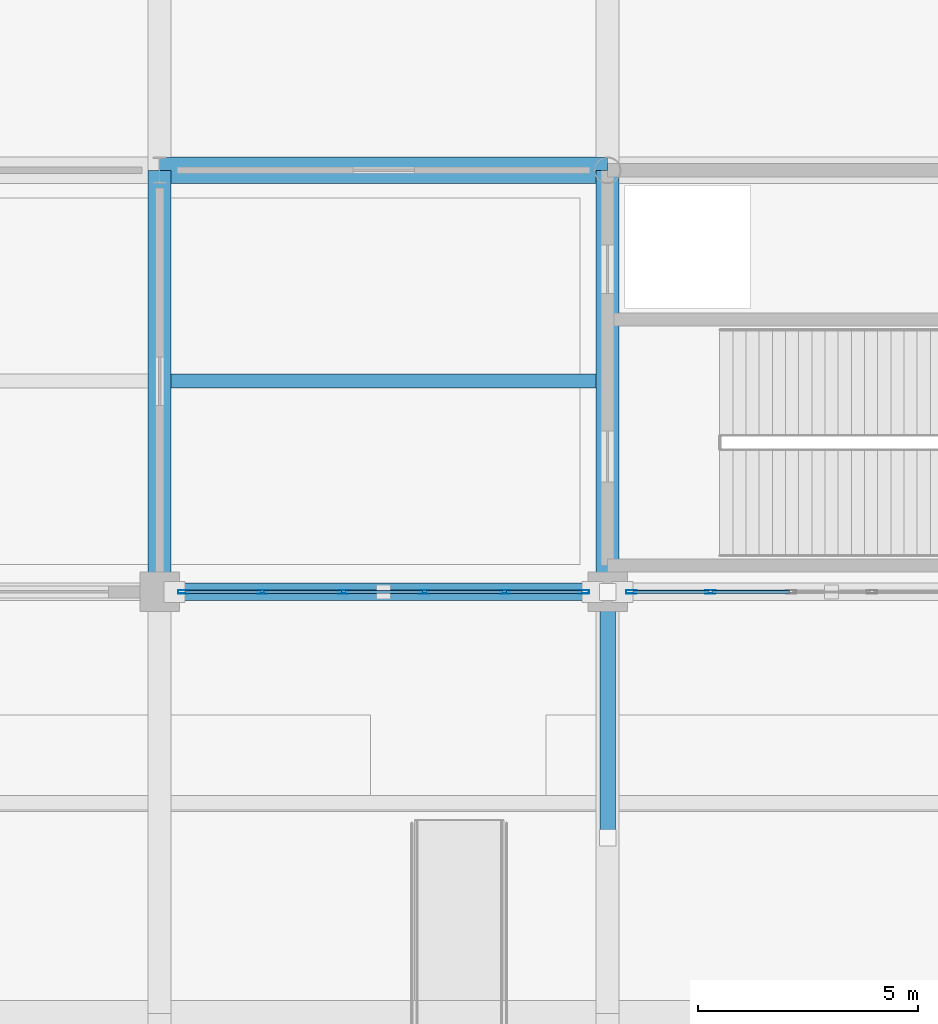
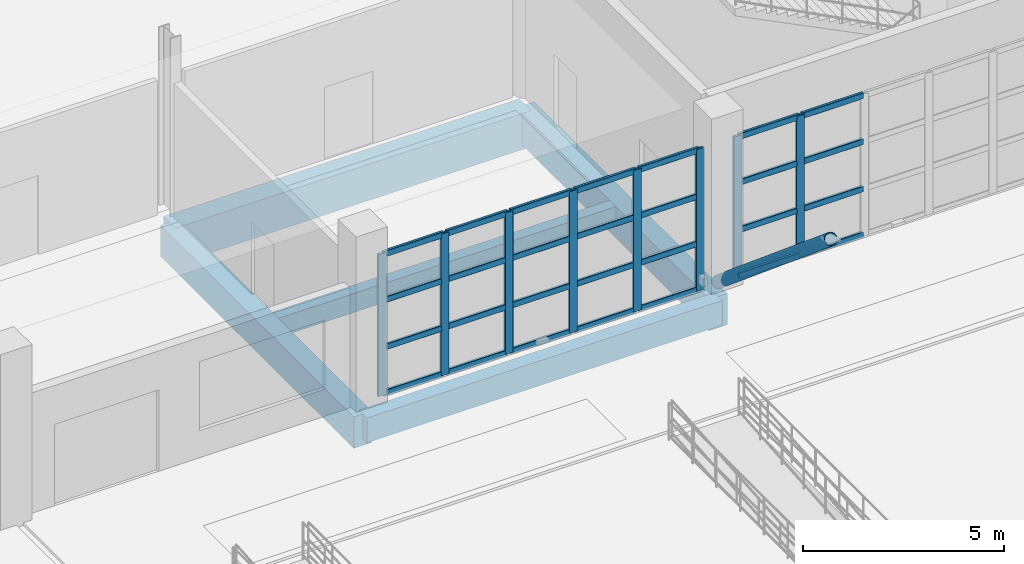
# One storey, part 36 of 124: 37 members, 5 beams, 2 elements without a shape of their own.
"""IFC4 building model written with IfcOpenShell, lengths in metres."""

from ifc_helpers import new_model, si_unit, direction, frame, origin, origin_2d, place, context, subcontext, project, spatial, rectangle, hollow_rectangle, hollow_circle, extrude, material, material_profile, profile_set, type_object, element, aggregate, save


model = new_model("IFC4")

# Units and contexts
model_context = context("Model", 3, precision=1e-05, world=origin(), true_north=direction((0.0, 1.0)))
body_context = subcontext(model_context, "Body", "Model", "MODEL_VIEW")
ifc_project = project(units=[si_unit("LENGTHUNIT", "METRE"), si_unit("AREAUNIT", "SQUARE_METRE"), si_unit("VOLUMEUNIT", "CUBIC_METRE"), si_unit("PLANEANGLEUNIT", "RADIAN"), si_unit("MASSUNIT", "GRAM", prefix="KILO")], contexts=[model_context])

# Site, building, storey
site_placement = place(None, origin())
site = spatial("IfcSite", under=ifc_project, at=site_placement, CompositionType="ELEMENT")
building_placement = place(site_placement, origin())
building = spatial("IfcBuilding", under=site, at=building_placement, Name="Brelvane Convention Centre", CompositionType="ELEMENT")
storey_placement = place(building_placement, origin())
storey = spatial("IfcBuildingStorey", under=building, at=storey_placement, Name="L00", CompositionType="ELEMENT", Elevation=0.0)

# Curtain wall, members
ifc_material_1 = material(Name="Anodised Aluminium Alloy 6063-T6", Category="aluminium")
curtain_wall_type = type_object("IfcCurtainWallType", Name="Curtain Wall CW-CONC", PredefinedType="USERDEFINED", material=ifc_material_1)
curtain_wall_1_placement = place(storey_placement, origin())
curtain_wall_1 = element("IfcCurtainWall", 1, at=curtain_wall_1_placement, inside=storey, type_object=curtain_wall_type, Name="Curtain Wall CW-CONC L00-V1S-12", ObjectType="UNITISED", PredefinedType="USERDEFINED")
ifc_material_2 = material(Name="Anodised Aluminium Alloy 6063-T6", Category="aluminium")
ifc_material_profile_1 = material_profile(ifc_material_2, hollow_rectangle(XDim=0.080078125, YDim=0.239990234375, WallThickness=0.006103515625, InnerFilletRadius=0.006103515625, OuterFilletRadius=0.011962890625, at=origin_2d()), Name="ALU-M 240x80x6.0")
ifc_profile_set_1 = profile_set([ifc_material_profile_1], Name="Anodised Aluminium Alloy 6063-T6")
member_type_1 = type_object("IfcMemberType", Name="Curtain Mullion CW-M1", PredefinedType="MULLION", material=ifc_profile_set_1)
member_1_placement = place(storey_placement, frame((112.739990234375, 19.199951171875, 0.0), z_axis=(0.0, 0.0, 1.0), x_axis=(0.0, 1.0, 0.0)))
member_1 = element("IfcMember", 2, at=member_1_placement, type_object=member_type_1, Name="CW-CONC mullion 1", PredefinedType="MULLION", context=body_context, shape_type="SweptSolid", body=[
    extrude(hollow_rectangle(XDim=0.080078125, YDim=0.239990234375, WallThickness=0.006103515625, InnerFilletRadius=0.006103515625, OuterFilletRadius=0.011962890625, at=origin_2d()), origin(), (0.0, 0.0, 1.0), 4.300048828125),
])
member_2_placement = place(storey_placement, frame((114.5400390625, 19.199951171875, 0.0), z_axis=(0.0, 0.0, 1.0), x_axis=(0.0, 1.0, 0.0)))
member_2 = element("IfcMember", 3, at=member_2_placement, type_object=member_type_1, Name="CW-CONC mullion 2", PredefinedType="MULLION", context=body_context, shape_type="SweptSolid", body=[
    extrude(hollow_rectangle(XDim=0.080078125, YDim=0.239990234375, WallThickness=0.006103515625, InnerFilletRadius=0.006103515625, OuterFilletRadius=0.011962890625, at=origin_2d()), origin(), (0.0, 0.0, 1.0), 4.300048828125),
])
member_3_placement = place(storey_placement, frame((116.3798828125, 19.199951171875, 0.0), z_axis=(0.0, 0.0, 1.0), x_axis=(0.0, 1.0, 0.0)))
member_3 = element("IfcMember", 4, at=member_3_placement, type_object=member_type_1, Name="CW-CONC mullion 3", PredefinedType="MULLION", context=body_context, shape_type="SweptSolid", body=[
    extrude(hollow_rectangle(XDim=0.080078125, YDim=0.239990234375, WallThickness=0.006103515625, InnerFilletRadius=0.006103515625, OuterFilletRadius=0.011962890625, at=origin_2d()), origin(), (0.0, 0.0, 1.0), 4.300048828125),
])
member_4_placement = place(storey_placement, frame((118.219970703125, 19.199951171875, 0.0), z_axis=(0.0, 0.0, 1.0), x_axis=(0.0, 1.0, 0.0)))
member_4 = element("IfcMember", 5, at=member_4_placement, type_object=member_type_1, Name="CW-CONC mullion 4", PredefinedType="MULLION", context=body_context, shape_type="SweptSolid", body=[
    extrude(hollow_rectangle(XDim=0.080078125, YDim=0.239990234375, WallThickness=0.006103515625, InnerFilletRadius=0.006103515625, OuterFilletRadius=0.011962890625, at=origin_2d()), origin(), (0.0, 0.0, 1.0), 4.300048828125),
])
member_5_placement = place(storey_placement, frame((120.06005859375, 19.199951171875, 0.0), z_axis=(0.0, 0.0, 1.0), x_axis=(0.0, 1.0, 0.0)))
member_5 = element("IfcMember", 6, at=member_5_placement, type_object=member_type_1, Name="CW-CONC mullion 5", PredefinedType="MULLION", context=body_context, shape_type="SweptSolid", body=[
    extrude(hollow_rectangle(XDim=0.080078125, YDim=0.239990234375, WallThickness=0.006103515625, InnerFilletRadius=0.006103515625, OuterFilletRadius=0.011962890625, at=origin_2d()), origin(), (0.0, 0.0, 1.0), 4.300048828125),
])
member_6_placement = place(storey_placement, frame((121.860107421875, 19.199951171875, 0.0), z_axis=(0.0, 0.0, 1.0), x_axis=(0.0, 1.0, 0.0)))
member_6 = element("IfcMember", 7, at=member_6_placement, type_object=member_type_1, Name="CW-CONC mullion 6", PredefinedType="MULLION", context=body_context, shape_type="SweptSolid", body=[
    extrude(hollow_rectangle(XDim=0.080078125, YDim=0.239990234375, WallThickness=0.006103515625, InnerFilletRadius=0.006103515625, OuterFilletRadius=0.011962890625, at=origin_2d()), origin(), (0.0, 0.0, 1.0), 4.300048828125),
])

curtain_wall_2_placement = place(storey_placement, origin())
curtain_wall_2 = element("IfcCurtainWall", 8, at=curtain_wall_2_placement, inside=storey, type_object=curtain_wall_type, Name="Curtain Wall CW-CONC L00-V1S-13", ObjectType="UNITISED", PredefinedType="USERDEFINED")
member_7_placement = place(storey_placement, frame((122.93994140625, 19.199951171875, 0.0), z_axis=(0.0, 0.0, 1.0), x_axis=(0.0, 1.0, 0.0)))
member_7 = element("IfcMember", 9, at=member_7_placement, type_object=member_type_1, Name="CW-CONC mullion 1", PredefinedType="MULLION", context=body_context, shape_type="SweptSolid", body=[
    extrude(hollow_rectangle(XDim=0.080078125, YDim=0.239990234375, WallThickness=0.006103515625, InnerFilletRadius=0.006103515625, OuterFilletRadius=0.011962890625, at=origin_2d()), origin(), (0.0, 0.0, 1.0), 4.300048828125),
])
member_8_placement = place(storey_placement, frame((124.739990234375, 19.199951171875, 0.0), z_axis=(0.0, 0.0, 1.0), x_axis=(0.0, 1.0, 0.0)))
member_8 = element("IfcMember", 10, at=member_8_placement, type_object=member_type_1, Name="CW-CONC mullion 2", PredefinedType="MULLION", context=body_context, shape_type="SweptSolid", body=[
    extrude(hollow_rectangle(XDim=0.080078125, YDim=0.239990234375, WallThickness=0.006103515625, InnerFilletRadius=0.006103515625, OuterFilletRadius=0.011962890625, at=origin_2d()), origin(), (0.0, 0.0, 1.0), 4.300048828125),
])

# Member
ifc_material_3 = material(Name="Anodised Aluminium Alloy 6063-T6", Category="aluminium")
ifc_material_profile_2 = material_profile(ifc_material_3, hollow_rectangle(XDim=0.080078125, YDim=0.179931640625, WallThickness=0.0048828125, InnerFilletRadius=0.0048828125, OuterFilletRadius=0.010009765625, at=origin_2d()), Name="ALU-T 180x80x5.0")
ifc_profile_set_2 = profile_set([ifc_material_profile_2], Name="Anodised Aluminium Alloy 6063-T6")
member_type_2 = type_object("IfcMemberType", Name="Curtain Transom CW-T1", PredefinedType="USERDEFINED", material=ifc_profile_set_2)
member_9_placement = place(storey_placement, frame((112.780029296875, 19.199951171875, 0.0400390625), z_axis=(1.0, 0.0, 0.0), x_axis=(0.0, 1.0, 0.0)))
member_9 = element("IfcMember", 11, at=member_9_placement, type_object=member_type_2, Name="CW-CONC transom 1.1", ObjectType="TRANSOM", PredefinedType="USERDEFINED", context=body_context, shape_type="SweptSolid", body=[
    extrude(hollow_rectangle(XDim=0.080078125, YDim=0.179931640625, WallThickness=0.0048828125, InnerFilletRadius=0.0048828125, OuterFilletRadius=0.010009765625, at=origin_2d()), origin(), (0.0, 0.0, 1.0), 1.719970703125),
])

member_10_placement = place(storey_placement, frame((112.780029296875, 19.199951171875, 1.433349609375), z_axis=(1.0, 0.0, 0.0), x_axis=(0.0, 1.0, 0.0)))
member_10 = element("IfcMember", 12, at=member_10_placement, type_object=member_type_2, Name="CW-CONC transom 1.2", ObjectType="TRANSOM", PredefinedType="USERDEFINED", context=body_context, shape_type="SweptSolid", body=[
    extrude(hollow_rectangle(XDim=0.080078125, YDim=0.179931640625, WallThickness=0.0048828125, InnerFilletRadius=0.0048828125, OuterFilletRadius=0.010009765625, at=origin_2d()), origin(), (0.0, 0.0, 1.0), 1.719970703125),
])

member_11_placement = place(storey_placement, frame((112.780029296875, 19.199951171875, 2.86669921875), z_axis=(1.0, 0.0, 0.0), x_axis=(0.0, 1.0, 0.0)))
member_11 = element("IfcMember", 13, at=member_11_placement, type_object=member_type_2, Name="CW-CONC transom 1.3", ObjectType="TRANSOM", PredefinedType="USERDEFINED", context=body_context, shape_type="SweptSolid", body=[
    extrude(hollow_rectangle(XDim=0.080078125, YDim=0.179931640625, WallThickness=0.0048828125, InnerFilletRadius=0.0048828125, OuterFilletRadius=0.010009765625, at=origin_2d()), origin(), (0.0, 0.0, 1.0), 1.719970703125),
])

member_12_placement = place(storey_placement, frame((112.780029296875, 19.199951171875, 4.260009765625), z_axis=(1.0, 0.0, 0.0), x_axis=(0.0, 1.0, 0.0)))
member_12 = element("IfcMember", 14, at=member_12_placement, type_object=member_type_2, Name="CW-CONC transom 1.4", ObjectType="TRANSOM", PredefinedType="USERDEFINED", context=body_context, shape_type="SweptSolid", body=[
    extrude(hollow_rectangle(XDim=0.080078125, YDim=0.179931640625, WallThickness=0.0048828125, InnerFilletRadius=0.0048828125, OuterFilletRadius=0.010009765625, at=origin_2d()), origin(), (0.0, 0.0, 1.0), 1.719970703125),
])

member_13_placement = place(storey_placement, frame((114.580078125, 19.199951171875, 0.0400390625), z_axis=(1.0, 0.0, 0.0), x_axis=(0.0, 1.0, 0.0)))
member_13 = element("IfcMember", 15, at=member_13_placement, type_object=member_type_2, Name="CW-CONC transom 2.1", ObjectType="TRANSOM", PredefinedType="USERDEFINED", context=body_context, shape_type="SweptSolid", body=[
    extrude(hollow_rectangle(XDim=0.080078125, YDim=0.179931640625, WallThickness=0.0048828125, InnerFilletRadius=0.0048828125, OuterFilletRadius=0.010009765625, at=origin_2d()), origin(), (0.0, 0.0, 1.0), 1.760009765625),
])

member_14_placement = place(storey_placement, frame((114.580078125, 19.199951171875, 1.433349609375), z_axis=(1.0, 0.0, 0.0), x_axis=(0.0, 1.0, 0.0)))
member_14 = element("IfcMember", 16, at=member_14_placement, type_object=member_type_2, Name="CW-CONC transom 2.2", ObjectType="TRANSOM", PredefinedType="USERDEFINED", context=body_context, shape_type="SweptSolid", body=[
    extrude(hollow_rectangle(XDim=0.080078125, YDim=0.179931640625, WallThickness=0.0048828125, InnerFilletRadius=0.0048828125, OuterFilletRadius=0.010009765625, at=origin_2d()), origin(), (0.0, 0.0, 1.0), 1.760009765625),
])

member_15_placement = place(storey_placement, frame((114.580078125, 19.199951171875, 2.86669921875), z_axis=(1.0, 0.0, 0.0), x_axis=(0.0, 1.0, 0.0)))
member_15 = element("IfcMember", 17, at=member_15_placement, type_object=member_type_2, Name="CW-CONC transom 2.3", ObjectType="TRANSOM", PredefinedType="USERDEFINED", context=body_context, shape_type="SweptSolid", body=[
    extrude(hollow_rectangle(XDim=0.080078125, YDim=0.179931640625, WallThickness=0.0048828125, InnerFilletRadius=0.0048828125, OuterFilletRadius=0.010009765625, at=origin_2d()), origin(), (0.0, 0.0, 1.0), 1.760009765625),
])

member_16_placement = place(storey_placement, frame((114.580078125, 19.199951171875, 4.260009765625), z_axis=(1.0, 0.0, 0.0), x_axis=(0.0, 1.0, 0.0)))
member_16 = element("IfcMember", 18, at=member_16_placement, type_object=member_type_2, Name="CW-CONC transom 2.4", ObjectType="TRANSOM", PredefinedType="USERDEFINED", context=body_context, shape_type="SweptSolid", body=[
    extrude(hollow_rectangle(XDim=0.080078125, YDim=0.179931640625, WallThickness=0.0048828125, InnerFilletRadius=0.0048828125, OuterFilletRadius=0.010009765625, at=origin_2d()), origin(), (0.0, 0.0, 1.0), 1.760009765625),
])

member_17_placement = place(storey_placement, frame((116.419921875, 19.199951171875, 0.0400390625), z_axis=(1.0, 0.0, 0.0), x_axis=(0.0, 1.0, 0.0)))
member_17 = element("IfcMember", 19, at=member_17_placement, type_object=member_type_2, Name="CW-CONC transom 3.1", ObjectType="TRANSOM", PredefinedType="USERDEFINED", context=body_context, shape_type="SweptSolid", body=[
    extrude(hollow_rectangle(XDim=0.080078125, YDim=0.179931640625, WallThickness=0.0048828125, InnerFilletRadius=0.0048828125, OuterFilletRadius=0.010009765625, at=origin_2d()), origin(), (0.0, 0.0, 1.0), 1.760009765625),
])

member_18_placement = place(storey_placement, frame((116.419921875, 19.199951171875, 1.433349609375), z_axis=(1.0, 0.0, 0.0), x_axis=(0.0, 1.0, 0.0)))
member_18 = element("IfcMember", 20, at=member_18_placement, type_object=member_type_2, Name="CW-CONC transom 3.2", ObjectType="TRANSOM", PredefinedType="USERDEFINED", context=body_context, shape_type="SweptSolid", body=[
    extrude(hollow_rectangle(XDim=0.080078125, YDim=0.179931640625, WallThickness=0.0048828125, InnerFilletRadius=0.0048828125, OuterFilletRadius=0.010009765625, at=origin_2d()), origin(), (0.0, 0.0, 1.0), 1.760009765625),
])

member_19_placement = place(storey_placement, frame((116.419921875, 19.199951171875, 2.86669921875), z_axis=(1.0, 0.0, 0.0), x_axis=(0.0, 1.0, 0.0)))
member_19 = element("IfcMember", 21, at=member_19_placement, type_object=member_type_2, Name="CW-CONC transom 3.3", ObjectType="TRANSOM", PredefinedType="USERDEFINED", context=body_context, shape_type="SweptSolid", body=[
    extrude(hollow_rectangle(XDim=0.080078125, YDim=0.179931640625, WallThickness=0.0048828125, InnerFilletRadius=0.0048828125, OuterFilletRadius=0.010009765625, at=origin_2d()), origin(), (0.0, 0.0, 1.0), 1.760009765625),
])

member_20_placement = place(storey_placement, frame((116.419921875, 19.199951171875, 4.260009765625), z_axis=(1.0, 0.0, 0.0), x_axis=(0.0, 1.0, 0.0)))
member_20 = element("IfcMember", 22, at=member_20_placement, type_object=member_type_2, Name="CW-CONC transom 3.4", ObjectType="TRANSOM", PredefinedType="USERDEFINED", context=body_context, shape_type="SweptSolid", body=[
    extrude(hollow_rectangle(XDim=0.080078125, YDim=0.179931640625, WallThickness=0.0048828125, InnerFilletRadius=0.0048828125, OuterFilletRadius=0.010009765625, at=origin_2d()), origin(), (0.0, 0.0, 1.0), 1.760009765625),
])

member_21_placement = place(storey_placement, frame((118.260009765625, 19.199951171875, 0.0400390625), z_axis=(1.0, 0.0, 0.0), x_axis=(0.0, 1.0, 0.0)))
member_21 = element("IfcMember", 23, at=member_21_placement, type_object=member_type_2, Name="CW-CONC transom 4.1", ObjectType="TRANSOM", PredefinedType="USERDEFINED", context=body_context, shape_type="SweptSolid", body=[
    extrude(hollow_rectangle(XDim=0.080078125, YDim=0.179931640625, WallThickness=0.0048828125, InnerFilletRadius=0.0048828125, OuterFilletRadius=0.010009765625, at=origin_2d()), origin(), (0.0, 0.0, 1.0), 1.760009765625),
])

member_22_placement = place(storey_placement, frame((118.260009765625, 19.199951171875, 1.433349609375), z_axis=(1.0, 0.0, 0.0), x_axis=(0.0, 1.0, 0.0)))
member_22 = element("IfcMember", 24, at=member_22_placement, type_object=member_type_2, Name="CW-CONC transom 4.2", ObjectType="TRANSOM", PredefinedType="USERDEFINED", context=body_context, shape_type="SweptSolid", body=[
    extrude(hollow_rectangle(XDim=0.080078125, YDim=0.179931640625, WallThickness=0.0048828125, InnerFilletRadius=0.0048828125, OuterFilletRadius=0.010009765625, at=origin_2d()), origin(), (0.0, 0.0, 1.0), 1.760009765625),
])

member_23_placement = place(storey_placement, frame((118.260009765625, 19.199951171875, 2.86669921875), z_axis=(1.0, 0.0, 0.0), x_axis=(0.0, 1.0, 0.0)))
member_23 = element("IfcMember", 25, at=member_23_placement, type_object=member_type_2, Name="CW-CONC transom 4.3", ObjectType="TRANSOM", PredefinedType="USERDEFINED", context=body_context, shape_type="SweptSolid", body=[
    extrude(hollow_rectangle(XDim=0.080078125, YDim=0.179931640625, WallThickness=0.0048828125, InnerFilletRadius=0.0048828125, OuterFilletRadius=0.010009765625, at=origin_2d()), origin(), (0.0, 0.0, 1.0), 1.760009765625),
])

member_24_placement = place(storey_placement, frame((118.260009765625, 19.199951171875, 4.260009765625), z_axis=(1.0, 0.0, 0.0), x_axis=(0.0, 1.0, 0.0)))
member_24 = element("IfcMember", 26, at=member_24_placement, type_object=member_type_2, Name="CW-CONC transom 4.4", ObjectType="TRANSOM", PredefinedType="USERDEFINED", context=body_context, shape_type="SweptSolid", body=[
    extrude(hollow_rectangle(XDim=0.080078125, YDim=0.179931640625, WallThickness=0.0048828125, InnerFilletRadius=0.0048828125, OuterFilletRadius=0.010009765625, at=origin_2d()), origin(), (0.0, 0.0, 1.0), 1.760009765625),
])

member_25_placement = place(storey_placement, frame((120.10009765625, 19.199951171875, 0.0400390625), z_axis=(1.0, 0.0, 0.0), x_axis=(0.0, 1.0, 0.0)))
member_25 = element("IfcMember", 27, at=member_25_placement, type_object=member_type_2, Name="CW-CONC transom 5.1", ObjectType="TRANSOM", PredefinedType="USERDEFINED", context=body_context, shape_type="SweptSolid", body=[
    extrude(hollow_rectangle(XDim=0.080078125, YDim=0.179931640625, WallThickness=0.0048828125, InnerFilletRadius=0.0048828125, OuterFilletRadius=0.010009765625, at=origin_2d()), origin(), (0.0, 0.0, 1.0), 1.719970703125),
])

member_26_placement = place(storey_placement, frame((120.10009765625, 19.199951171875, 1.433349609375), z_axis=(1.0, 0.0, 0.0), x_axis=(0.0, 1.0, 0.0)))
member_26 = element("IfcMember", 28, at=member_26_placement, type_object=member_type_2, Name="CW-CONC transom 5.2", ObjectType="TRANSOM", PredefinedType="USERDEFINED", context=body_context, shape_type="SweptSolid", body=[
    extrude(hollow_rectangle(XDim=0.080078125, YDim=0.179931640625, WallThickness=0.0048828125, InnerFilletRadius=0.0048828125, OuterFilletRadius=0.010009765625, at=origin_2d()), origin(), (0.0, 0.0, 1.0), 1.719970703125),
])

member_27_placement = place(storey_placement, frame((120.10009765625, 19.199951171875, 2.86669921875), z_axis=(1.0, 0.0, 0.0), x_axis=(0.0, 1.0, 0.0)))
member_27 = element("IfcMember", 29, at=member_27_placement, type_object=member_type_2, Name="CW-CONC transom 5.3", ObjectType="TRANSOM", PredefinedType="USERDEFINED", context=body_context, shape_type="SweptSolid", body=[
    extrude(hollow_rectangle(XDim=0.080078125, YDim=0.179931640625, WallThickness=0.0048828125, InnerFilletRadius=0.0048828125, OuterFilletRadius=0.010009765625, at=origin_2d()), origin(), (0.0, 0.0, 1.0), 1.719970703125),
])

member_28_placement = place(storey_placement, frame((120.10009765625, 19.199951171875, 4.260009765625), z_axis=(1.0, 0.0, 0.0), x_axis=(0.0, 1.0, 0.0)))
member_28 = element("IfcMember", 30, at=member_28_placement, type_object=member_type_2, Name="CW-CONC transom 5.4", ObjectType="TRANSOM", PredefinedType="USERDEFINED", context=body_context, shape_type="SweptSolid", body=[
    extrude(hollow_rectangle(XDim=0.080078125, YDim=0.179931640625, WallThickness=0.0048828125, InnerFilletRadius=0.0048828125, OuterFilletRadius=0.010009765625, at=origin_2d()), origin(), (0.0, 0.0, 1.0), 1.719970703125),
])

aggregate(curtain_wall_1, [member_1, member_2, member_3, member_4, member_5, member_6, member_9, member_10, member_11, member_12, member_13, member_14, member_15, member_16, member_17, member_18, member_19, member_20, member_21, member_22, member_23, member_24, member_25, member_26, member_27, member_28])

member_29_placement = place(storey_placement, frame((122.97998046875, 19.199951171875, 0.0400390625), z_axis=(1.0, 0.0, 0.0), x_axis=(0.0, 1.0, 0.0)))
member_29 = element("IfcMember", 31, at=member_29_placement, type_object=member_type_2, Name="CW-CONC transom 1.1", ObjectType="TRANSOM", PredefinedType="USERDEFINED", context=body_context, shape_type="SweptSolid", body=[
    extrude(hollow_rectangle(XDim=0.080078125, YDim=0.179931640625, WallThickness=0.0048828125, InnerFilletRadius=0.0048828125, OuterFilletRadius=0.010009765625, at=origin_2d()), origin(), (0.0, 0.0, 1.0), 1.719970703125),
])

member_30_placement = place(storey_placement, frame((122.97998046875, 19.199951171875, 1.433349609375), z_axis=(1.0, 0.0, 0.0), x_axis=(0.0, 1.0, 0.0)))
member_30 = element("IfcMember", 32, at=member_30_placement, type_object=member_type_2, Name="CW-CONC transom 1.2", ObjectType="TRANSOM", PredefinedType="USERDEFINED", context=body_context, shape_type="SweptSolid", body=[
    extrude(hollow_rectangle(XDim=0.080078125, YDim=0.179931640625, WallThickness=0.0048828125, InnerFilletRadius=0.0048828125, OuterFilletRadius=0.010009765625, at=origin_2d()), origin(), (0.0, 0.0, 1.0), 1.719970703125),
])

member_31_placement = place(storey_placement, frame((122.97998046875, 19.199951171875, 2.86669921875), z_axis=(1.0, 0.0, 0.0), x_axis=(0.0, 1.0, 0.0)))
member_31 = element("IfcMember", 33, at=member_31_placement, type_object=member_type_2, Name="CW-CONC transom 1.3", ObjectType="TRANSOM", PredefinedType="USERDEFINED", context=body_context, shape_type="SweptSolid", body=[
    extrude(hollow_rectangle(XDim=0.080078125, YDim=0.179931640625, WallThickness=0.0048828125, InnerFilletRadius=0.0048828125, OuterFilletRadius=0.010009765625, at=origin_2d()), origin(), (0.0, 0.0, 1.0), 1.719970703125),
])

member_32_placement = place(storey_placement, frame((122.97998046875, 19.199951171875, 4.260009765625), z_axis=(1.0, 0.0, 0.0), x_axis=(0.0, 1.0, 0.0)))
member_32 = element("IfcMember", 34, at=member_32_placement, type_object=member_type_2, Name="CW-CONC transom 1.4", ObjectType="TRANSOM", PredefinedType="USERDEFINED", context=body_context, shape_type="SweptSolid", body=[
    extrude(hollow_rectangle(XDim=0.080078125, YDim=0.179931640625, WallThickness=0.0048828125, InnerFilletRadius=0.0048828125, OuterFilletRadius=0.010009765625, at=origin_2d()), origin(), (0.0, 0.0, 1.0), 1.719970703125),
])

member_33_placement = place(storey_placement, frame((124.780029296875, 19.199951171875, 0.0400390625), z_axis=(1.0, 0.0, 0.0), x_axis=(0.0, 1.0, 0.0)))
member_33 = element("IfcMember", 35, at=member_33_placement, type_object=member_type_2, Name="CW-CONC transom 2.1", ObjectType="TRANSOM", PredefinedType="USERDEFINED", context=body_context, shape_type="SweptSolid", body=[
    extrude(hollow_rectangle(XDim=0.080078125, YDim=0.179931640625, WallThickness=0.0048828125, InnerFilletRadius=0.0048828125, OuterFilletRadius=0.010009765625, at=origin_2d()), origin(), (0.0, 0.0, 1.0), 1.760009765625),
])

member_34_placement = place(storey_placement, frame((124.780029296875, 19.199951171875, 1.433349609375), z_axis=(1.0, 0.0, 0.0), x_axis=(0.0, 1.0, 0.0)))
member_34 = element("IfcMember", 36, at=member_34_placement, type_object=member_type_2, Name="CW-CONC transom 2.2", ObjectType="TRANSOM", PredefinedType="USERDEFINED", context=body_context, shape_type="SweptSolid", body=[
    extrude(hollow_rectangle(XDim=0.080078125, YDim=0.179931640625, WallThickness=0.0048828125, InnerFilletRadius=0.0048828125, OuterFilletRadius=0.010009765625, at=origin_2d()), origin(), (0.0, 0.0, 1.0), 1.760009765625),
])

member_35_placement = place(storey_placement, frame((124.780029296875, 19.199951171875, 2.86669921875), z_axis=(1.0, 0.0, 0.0), x_axis=(0.0, 1.0, 0.0)))
member_35 = element("IfcMember", 37, at=member_35_placement, type_object=member_type_2, Name="CW-CONC transom 2.3", ObjectType="TRANSOM", PredefinedType="USERDEFINED", context=body_context, shape_type="SweptSolid", body=[
    extrude(hollow_rectangle(XDim=0.080078125, YDim=0.179931640625, WallThickness=0.0048828125, InnerFilletRadius=0.0048828125, OuterFilletRadius=0.010009765625, at=origin_2d()), origin(), (0.0, 0.0, 1.0), 1.760009765625),
])

member_36_placement = place(storey_placement, frame((124.780029296875, 19.199951171875, 4.260009765625), z_axis=(1.0, 0.0, 0.0), x_axis=(0.0, 1.0, 0.0)))
member_36 = element("IfcMember", 38, at=member_36_placement, type_object=member_type_2, Name="CW-CONC transom 2.4", ObjectType="TRANSOM", PredefinedType="USERDEFINED", context=body_context, shape_type="SweptSolid", body=[
    extrude(hollow_rectangle(XDim=0.080078125, YDim=0.179931640625, WallThickness=0.0048828125, InnerFilletRadius=0.0048828125, OuterFilletRadius=0.010009765625, at=origin_2d()), origin(), (0.0, 0.0, 1.0), 1.760009765625),
])

aggregate(curtain_wall_2, [member_7, member_8, member_29, member_30, member_31, member_32, member_33, member_34, member_35, member_36])

# Beams
ifc_material_4 = material(Name="Concrete M50", Category="concrete")
ifc_material_profile_3 = material_profile(ifc_material_4, rectangle(XDim=0.60009765625, YDim=1.10009765625, at=origin_2d()), Name="RC 600x1100")
ifc_profile_set_3 = profile_set([ifc_material_profile_3], Name="Concrete M50")
beam_type_1 = type_object("IfcBeamType", Name="RC Beam B-RC2 (RC 600x1100)", PredefinedType="BEAM", material=ifc_profile_set_3)
beam_1_placement = place(storey_placement, frame((112.199951171875, 28.800048828125, -0.949951171875), z_axis=(1.0, 0.0, 0.0), x_axis=(0.0, 1.0, 0.0)))
element("IfcBeam", 39, at=beam_1_placement, inside=storey, type_object=beam_type_1, Name="L00 Beam 12-13/D", PredefinedType="BEAM", context=body_context, shape_type="SweptSolid", body=[
    extrude(rectangle(XDim=0.60009765625, YDim=1.10009765625, at=origin_2d()), origin(), (0.0, 0.0, 1.0), 10.199951171875),
])
ifc_material_5 = material(Name="Concrete M50", Category="concrete")
ifc_material_profile_4 = material_profile(ifc_material_5, rectangle(XDim=0.52001953125, YDim=0.949951171875, at=origin_2d()), Name="RC 520x950")
ifc_profile_set_4 = profile_set([ifc_material_profile_4], Name="Concrete M50")
beam_type_2 = type_object("IfcBeamType", Name="RC Beam B-RC9 (RC 520x950)", PredefinedType="BEAM", material=ifc_profile_set_4)
for number, where, z_axis, x_axis, name in (
    (40, (112.199951171875, 19.199951171875, -0.875), (0.0, 1.0, 0.0), (-1.0, 0.0, 0.0), "L00 Girder 12/C-D"),
    (41, (122.39990234375, 19.199951171875, -0.875), (0.0, 1.0, 0.0), (-1.0, 0.0, 0.0), "L00 Girder 13/C-D"),
):
    element("IfcBeam", number, at=place(storey_placement, frame(where, z_axis=z_axis, x_axis=x_axis)), inside=storey, type_object=beam_type_2, Name=name, PredefinedType="BEAM", context=body_context, shape_type="SweptSolid", body=[
        extrude(rectangle(XDim=0.52001953125, YDim=0.949951171875, at=origin_2d()), origin(), (0.0, 0.0, 1.0), 9.60009765625),
    ])
ifc_material_6 = material(Name="Concrete M40", Category="concrete")
ifc_material_profile_5 = material_profile(ifc_material_6, rectangle(XDim=0.320068359375, YDim=0.580078125, at=origin_2d()), Name="RC 320x580")
ifc_profile_set_5 = profile_set([ifc_material_profile_5], Name="Concrete M40")
beam_type_3 = type_object("IfcBeamType", Name="RC Joist J-RC3 (RC 320x580)", PredefinedType="JOIST", material=ifc_profile_set_5)
beam_2_placement = place(storey_placement, frame((112.4599609375, 24.0, -0.68994140625), z_axis=(1.0, 0.0, 0.0), x_axis=(0.0, 1.0, 0.0)))
element("IfcBeam", 42, at=beam_2_placement, inside=storey, type_object=beam_type_3, Name="L00 Secondary Joist 12-13/CD", PredefinedType="JOIST", context=body_context, shape_type="SweptSolid", body=[
    extrude(rectangle(XDim=0.320068359375, YDim=0.580078125, at=origin_2d()), origin(), (0.0, 0.0, 1.0), 9.679931640625),
])
ifc_material_7 = material(Name="Concrete M40", Category="concrete")
ifc_material_profile_6 = material_profile(ifc_material_7, rectangle(XDim=0.39990234375, YDim=0.75, at=origin_2d()), Name="RC 400x750")
ifc_profile_set_6 = profile_set([ifc_material_profile_6], Name="Concrete M40")
beam_type_4 = type_object("IfcBeamType", Name="RC Spandrel SP-RC1 (RC 400x750)", PredefinedType="SPANDREL", material=ifc_profile_set_6)
beam_3_placement = place(storey_placement, frame((112.199951171875, 19.199951171875, -0.77490234375), z_axis=(1.0, 0.0, 0.0), x_axis=(0.0, 1.0, 0.0)))
element("IfcBeam", 43, at=beam_3_placement, inside=storey, type_object=beam_type_4, Name="L00 Beam 12-13/C", PredefinedType="SPANDREL", context=body_context, shape_type="SweptSolid", body=[
    extrude(rectangle(XDim=0.39990234375, YDim=0.75, at=origin_2d()), origin(), (0.0, 0.0, 1.0), 10.199951171875),
])

# Member
ifc_material_8 = material(Name="Steel E450 (450 MPa)", Category="steel")
ifc_material_profile_7 = material_profile(ifc_material_8, hollow_circle(Radius=0.177734375, WallThickness=0.01611328125, at=origin_2d()), Name="CHS 355.6x16.0")
ifc_profile_set_7 = profile_set([ifc_material_profile_7], Name="Steel E450 (450 MPa)")
member_type_3 = type_object("IfcMemberType", Name="Steel Strut HS-ST1 (CHS 355.6x16.0)", PredefinedType="STRUT", material=ifc_profile_set_7)
member_37_placement = place(storey_placement, frame((122.39990234375, 19.199951171875, 0.050048828125), z_axis=(0.0, -0.766643647724, 0.642072828739), x_axis=(1.0, 0.0, 0.0)))
element("IfcMember", 44, at=member_37_placement, inside=storey, type_object=member_type_3, Name="Hull Overhang Raked Strut L00 V1-13", PredefinedType="STRUT", context=body_context, shape_type="SweptSolid", body=[
    extrude(hollow_circle(Radius=0.177734375, WallThickness=0.01611328125, at=origin_2d()), origin(), (0.0, 0.0, 1.0), 7.304443359375),
])

save(model, "model.ifc")
